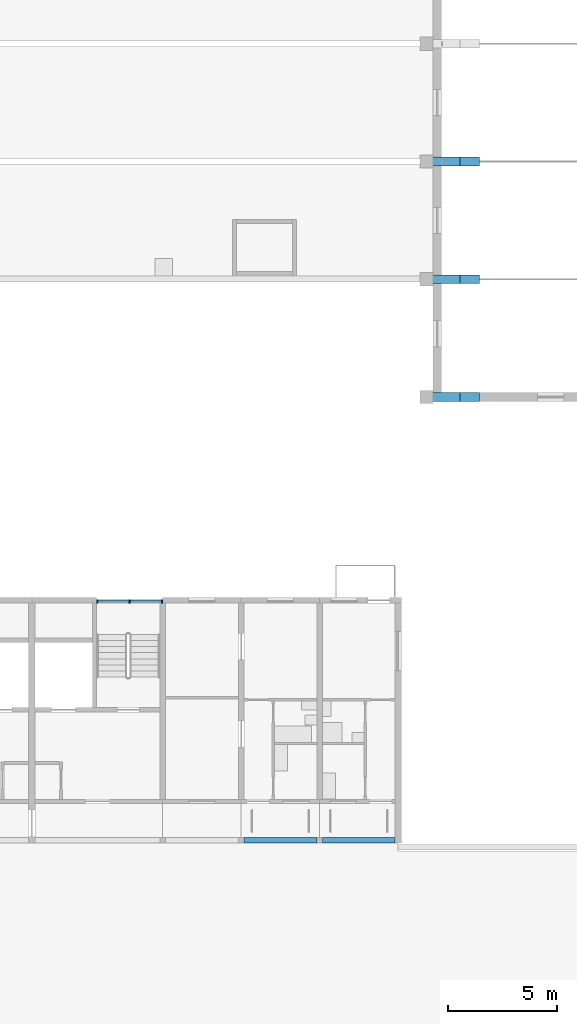
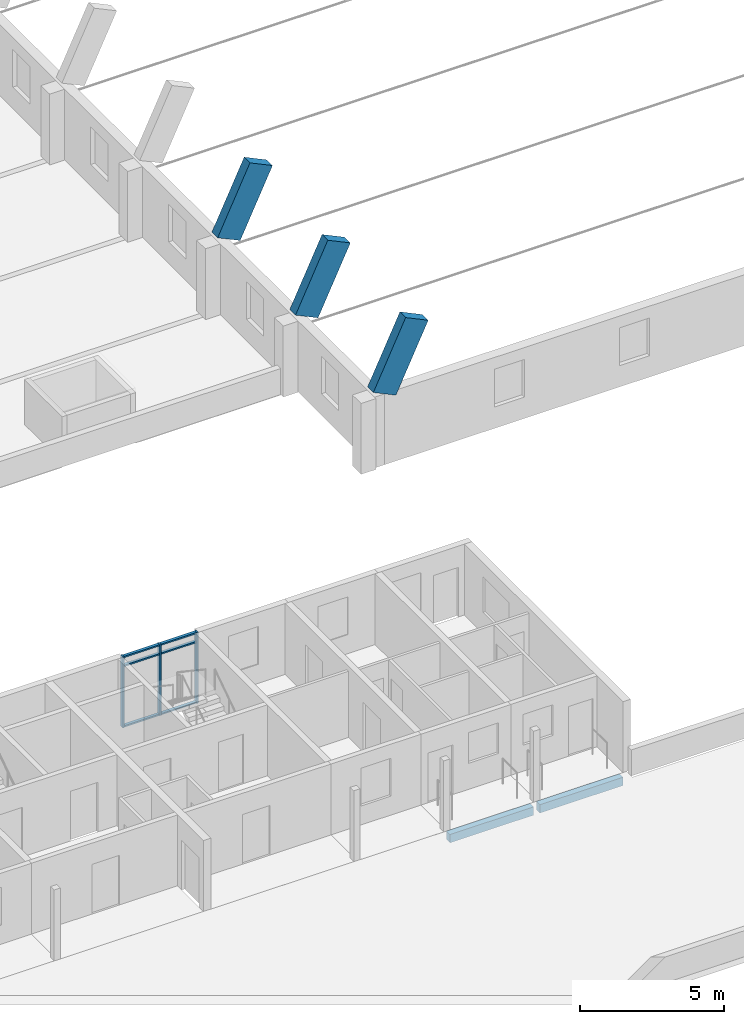
# One storey, part 14 of 115: 9 members, 5 beams, 1 element without a shape of its own.
"""IFC4 building model written with IfcOpenShell, lengths in metres."""

from ifc_helpers import new_model, si_unit, direction, frame, origin, origin_2d, place, context, subcontext, project, spatial, rectangle, extrude, material, material_profile, profile_set, type_object, element, aggregate, save


model = new_model("IFC4")

# Units and contexts
model_context = context("Model", 3, precision=1e-05, world=origin(), true_north=direction((0.0, 1.0)))
body_context = subcontext(model_context, "Body", "Model", "MODEL_VIEW")
ifc_project = project(units=[si_unit("LENGTHUNIT", "METRE"), si_unit("AREAUNIT", "SQUARE_METRE"), si_unit("VOLUMEUNIT", "CUBIC_METRE"), si_unit("PLANEANGLEUNIT", "RADIAN"), si_unit("MASSUNIT", "GRAM", prefix="KILO")], contexts=[model_context])

# Site, building, storey
site_placement = place(None, origin())
site = spatial("IfcSite", under=ifc_project, at=site_placement, CompositionType="ELEMENT")
building_placement = place(site_placement, origin())
building = spatial("IfcBuilding", under=site, at=building_placement, Name="Ridgestep Commons", CompositionType="ELEMENT")
storey_placement = place(building_placement, frame((0.0, 0.0, 6.0)))
storey = spatial("IfcBuildingStorey", under=building, at=storey_placement, Name="L02", CompositionType="ELEMENT", Elevation=6.0)

# Beams
ifc_material_1 = material(Name="Precast concrete C50/60", Category="concrete")
ifc_material_profile_1 = material_profile(ifc_material_1, rectangle(XDim=0.39990234375, YDim=1.0, at=origin_2d()), Name="Hall vault rib 400 x 1000")
ifc_profile_set_1 = profile_set([ifc_material_profile_1], Name="Precast concrete C50/60")
beam_type_1 = type_object("IfcBeamType", Name="Hall vault rib 400 x 1000", PredefinedType="BEAM", material=ifc_profile_set_1)
for number, where, z_axis, x_axis, name in (
    (1, (114.800048828125, 32.199951171875, 3.0), (0.429357705231, 0.0, 0.903134519858), (0.0, 1.0, 0.0), "Hall vault rib R1"),
    (2, (114.800048828125, 37.60009765625, 3.0), (0.429357705231, 0.0, 0.903134519858), (0.0, 1.0, 0.0), "Hall vault rib R2"),
    (3, (114.800048828125, 43.0, 3.0), (0.429357705231, 0.0, 0.903134519858), (0.0, 1.0, 0.0), "Hall vault rib R3"),
):
    element("IfcBeam", number, at=place(storey_placement, frame(where, z_axis=z_axis, x_axis=x_axis)), inside=storey, type_object=beam_type_1, Name=name, PredefinedType="BEAM", context=body_context, shape_type="SweptSolid", body=[
        extrude(rectangle(XDim=0.39990234375, YDim=1.0, at=origin_2d()), origin(), (0.0, 0.0, 1.0), 3.011962890625),
    ])
ifc_material_2 = material(Name="Precast concrete C40/50", Category="concrete")
ifc_material_profile_2 = material_profile(ifc_material_2, rectangle(XDim=0.25, YDim=0.35009765625, at=origin_2d()), Name="PC 250x350")
ifc_profile_set_2 = profile_set([ifc_material_profile_2], Name="Precast concrete C40/50")
beam_type_2 = type_object("IfcBeamType", Name="Loggia edge beam 250 x 350", PredefinedType="SPANDREL", material=ifc_profile_set_2)
beam_1_placement = place(storey_placement, frame((105.72509765625, 11.875, -0.375), z_axis=(1.0, 0.0, 0.0), x_axis=(0.0, 1.0, 0.0)))
element("IfcBeam", 4, at=beam_1_placement, inside=storey, type_object=beam_type_2, Name="Loggia edge beam A6T2 L02", PredefinedType="SPANDREL", context=body_context, shape_type="SweptSolid", body=[
    extrude(rectangle(XDim=0.25, YDim=0.35009765625, at=origin_2d()), origin(), (0.0, 0.0, 1.0), 3.349853515625),
])
beam_2_placement = place(storey_placement, frame((109.324951171875, 11.875, -0.375), z_axis=(1.0, 0.0, 0.0), x_axis=(0.0, 1.0, 0.0)))
element("IfcBeam", 5, at=beam_2_placement, inside=storey, type_object=beam_type_2, Name="Loggia edge beam A6T1 L02", PredefinedType="SPANDREL", context=body_context, shape_type="SweptSolid", body=[
    extrude(rectangle(XDim=0.25, YDim=0.35009765625, at=origin_2d()), origin(), (0.0, 0.0, 1.0), 3.324951171875),
])

# Curtain wall, members
ifc_material_3 = material(Name="Aluminium 6063-T6 and glass", Category="aluminium")
curtain_wall_type = type_object("IfcCurtainWallType", Name="Curtain wall stair strip", PredefinedType="NOTDEFINED", material=ifc_material_3)
curtain_wall_placement = place(storey_placement, origin())
curtain_wall = element("IfcCurtainWall", 6, at=curtain_wall_placement, inside=storey, type_object=curtain_wall_type, Name="Curtain wall A6C level 02", PredefinedType="NOTDEFINED")
ifc_material_4 = material(Name="Aluminium 6063-T6", Category="aluminium")
ifc_material_profile_3 = material_profile(ifc_material_4, rectangle(XDim=0.159912109375, YDim=0.06005859375, at=origin_2d()), Name="Mullion 60 x 160")
ifc_profile_set_3 = profile_set([ifc_material_profile_3], Name="Aluminium 6063-T6")
member_type_1 = type_object("IfcMemberType", Name="Mullion 60 x 160", PredefinedType="MULLION", material=ifc_profile_set_3)
member_1_placement = place(storey_placement, frame((99.0048828125, 22.830078125, 0.0), z_axis=(0.0, 0.0, 1.0), x_axis=(0.0, 1.0, 0.0)))
member_1 = element("IfcMember", 7, at=member_1_placement, type_object=member_type_1, Name="CW1 mullion 1", PredefinedType="MULLION", context=body_context, shape_type="SweptSolid", body=[
    extrude(rectangle(XDim=0.159912109375, YDim=0.06005859375, at=origin_2d()), origin(), (0.0, 0.0, 1.0), 3.0),
])
member_2_placement = place(storey_placement, frame((100.487548828125, 22.830078125, 0.0), z_axis=(0.0, 0.0, 1.0), x_axis=(0.0, 1.0, 0.0)))
member_2 = element("IfcMember", 8, at=member_2_placement, type_object=member_type_1, Name="CW1 mullion 2", PredefinedType="MULLION", context=body_context, shape_type="SweptSolid", body=[
    extrude(rectangle(XDim=0.159912109375, YDim=0.06005859375, at=origin_2d()), origin(), (0.0, 0.0, 1.0), 3.0),
])
member_3_placement = place(storey_placement, frame((101.969970703125, 22.830078125, 0.0), z_axis=(0.0, 0.0, 1.0), x_axis=(0.0, 1.0, 0.0)))
member_3 = element("IfcMember", 9, at=member_3_placement, type_object=member_type_1, Name="CW1 mullion 3", PredefinedType="MULLION", context=body_context, shape_type="SweptSolid", body=[
    extrude(rectangle(XDim=0.159912109375, YDim=0.06005859375, at=origin_2d()), origin(), (0.0, 0.0, 1.0), 3.0),
])
ifc_material_5 = material(Name="Aluminium 6063-T6", Category="aluminium")
ifc_material_profile_4 = material_profile(ifc_material_5, rectangle(XDim=0.1201171875, YDim=0.06005859375, at=origin_2d()), Name="Transom 60 x 120")
ifc_profile_set_4 = profile_set([ifc_material_profile_4], Name="Aluminium 6063-T6")
member_type_2 = type_object("IfcMemberType", Name="Transom 60 x 120", PredefinedType="USERDEFINED", material=ifc_profile_set_4)
member_4_placement = place(storey_placement, frame((99.034912109375, 22.830078125, 0.030029296875), z_axis=(1.0, 0.0, 0.0), x_axis=(0.0, 1.0, 0.0)))
member_4 = element("IfcMember", 10, at=member_4_placement, type_object=member_type_2, Name="CW1 transom 1.1", ObjectType="TRANSOM", PredefinedType="USERDEFINED", context=body_context, shape_type="SweptSolid", body=[
    extrude(rectangle(XDim=0.1201171875, YDim=0.06005859375, at=origin_2d()), origin(), (0.0, 0.0, 1.0), 1.422607421875),
])
member_5_placement = place(storey_placement, frame((99.034912109375, 22.830078125, 2.590087890625), z_axis=(1.0, 0.0, 0.0), x_axis=(0.0, 1.0, 0.0)))
member_5 = element("IfcMember", 11, at=member_5_placement, type_object=member_type_2, Name="CW1 transom 1.2", ObjectType="TRANSOM", PredefinedType="USERDEFINED", context=body_context, shape_type="SweptSolid", body=[
    extrude(rectangle(XDim=0.1201171875, YDim=0.06005859375, at=origin_2d()), origin(), (0.0, 0.0, 1.0), 1.422607421875),
])
member_6_placement = place(storey_placement, frame((99.034912109375, 22.830078125, 2.969970703125), z_axis=(1.0, 0.0, 0.0), x_axis=(0.0, 1.0, 0.0)))
member_6 = element("IfcMember", 12, at=member_6_placement, type_object=member_type_2, Name="CW1 transom 1.3", ObjectType="TRANSOM", PredefinedType="USERDEFINED", context=body_context, shape_type="SweptSolid", body=[
    extrude(rectangle(XDim=0.1201171875, YDim=0.06005859375, at=origin_2d()), origin(), (0.0, 0.0, 1.0), 1.422607421875),
])
member_7_placement = place(storey_placement, frame((100.517578125, 22.830078125, 0.030029296875), z_axis=(1.0, 0.0, 0.0), x_axis=(0.0, 1.0, 0.0)))
member_7 = element("IfcMember", 13, at=member_7_placement, type_object=member_type_2, Name="CW1 transom 2.1", ObjectType="TRANSOM", PredefinedType="USERDEFINED", context=body_context, shape_type="SweptSolid", body=[
    extrude(rectangle(XDim=0.1201171875, YDim=0.06005859375, at=origin_2d()), origin(), (0.0, 0.0, 1.0), 1.42236328125),
])
member_8_placement = place(storey_placement, frame((100.517578125, 22.830078125, 2.590087890625), z_axis=(1.0, 0.0, 0.0), x_axis=(0.0, 1.0, 0.0)))
member_8 = element("IfcMember", 14, at=member_8_placement, type_object=member_type_2, Name="CW1 transom 2.2", ObjectType="TRANSOM", PredefinedType="USERDEFINED", context=body_context, shape_type="SweptSolid", body=[
    extrude(rectangle(XDim=0.1201171875, YDim=0.06005859375, at=origin_2d()), origin(), (0.0, 0.0, 1.0), 1.42236328125),
])
member_9_placement = place(storey_placement, frame((100.517578125, 22.830078125, 2.969970703125), z_axis=(1.0, 0.0, 0.0), x_axis=(0.0, 1.0, 0.0)))
member_9 = element("IfcMember", 15, at=member_9_placement, type_object=member_type_2, Name="CW1 transom 2.3", ObjectType="TRANSOM", PredefinedType="USERDEFINED", context=body_context, shape_type="SweptSolid", body=[
    extrude(rectangle(XDim=0.1201171875, YDim=0.06005859375, at=origin_2d()), origin(), (0.0, 0.0, 1.0), 1.42236328125),
])
aggregate(curtain_wall, [member_1, member_2, member_3, member_4, member_5, member_6, member_7, member_8, member_9])

save(model, "model.ifc")
